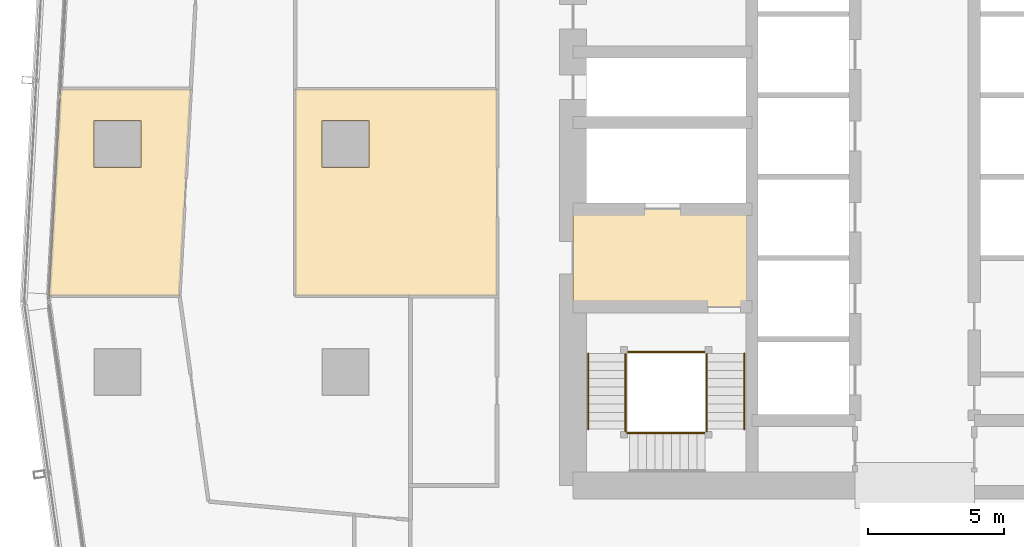
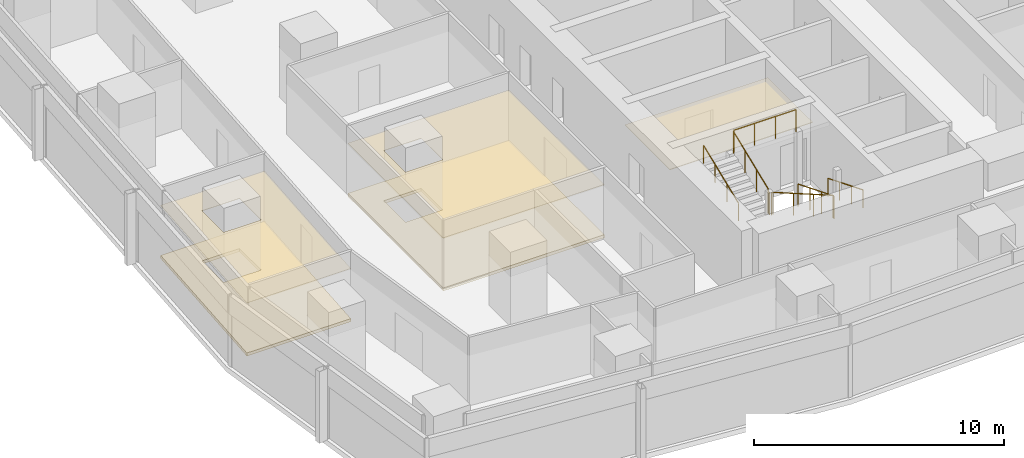
# One storey, part 34 of 40: 9 railings, 5 coverings.
"""IFC4 building model written with IfcOpenShell, lengths in metres."""

from ifc_helpers import new_model, si_unit, direction, frame, origin, origin_2d, place, context, subcontext, project, spatial, polyline, circle, outline, extrude, material, layer, layer_set, type_object, element, save


model = new_model("IFC4")

# Units and contexts
model_context = context("Model", 3, precision=1e-05, world=origin(), true_north=direction((0.0, 1.0)))
body_context = subcontext(model_context, "Body", "Model", "MODEL_VIEW")
ifc_project = project(units=[si_unit("LENGTHUNIT", "METRE"), si_unit("AREAUNIT", "SQUARE_METRE"), si_unit("VOLUMEUNIT", "CUBIC_METRE"), si_unit("PLANEANGLEUNIT", "RADIAN"), si_unit("MASSUNIT", "GRAM", prefix="KILO")], contexts=[model_context])

# Site, building, storey
site_placement = place(None, origin())
site = spatial("IfcSite", under=ifc_project, at=site_placement, CompositionType="ELEMENT")
building_placement = place(site_placement, origin())
building = spatial("IfcBuilding", under=site, at=building_placement, Name="Rekha Terrace Tower", CompositionType="ELEMENT")
storey_placement = place(building_placement, frame((0.0, 0.0, 117.800048828125)))
storey = spatial("IfcBuildingStorey", under=building, at=storey_placement, Name="L29", CompositionType="ELEMENT", Elevation=117.800048828125)

# Coverings
ifc_material_1 = material(Name="Mineral fibre tile in exposed grid", Category="finish")
ifc_layer_1 = layer(ifc_material_1, 0.02001953125)
ifc_layer_set_1 = layer_set([ifc_layer_1], Name="Mineral fibre tile in exposed grid")
covering_type_1 = type_object("IfcCoveringType", Name="CL1 600x1200 office grid ceiling", PredefinedType="CEILING", material=ifc_layer_set_1)
covering_1_placement = place(storey_placement, frame((0.0, 0.0, 2.579833984375)))
element("IfcCovering", 1, at=covering_1_placement, inside=storey, type_object=covering_type_1, Name="Ceiling L29-19", PredefinedType="CEILING", context=body_context, shape_type="SweptSolid", body=[
    extrude(outline(polyline([(5.8740234375, 28.0), (10.680908203125, 28.0), (11.10009765625, 35.634033203125), (6.29296875, 35.634033203125), (5.8740234375, 28.0)]), holes=[polyline([(9.264892578125, 32.735107421875), (7.534912109375, 32.735107421875), (7.534912109375, 34.465087890625), (9.264892578125, 34.465087890625), (9.264892578125, 32.735107421875)])]), origin(), (0.0, 0.0, 1.0), 0.02001953125),
])
covering_2_placement = place(storey_placement, frame((0.0, 0.0, 2.579833984375)))
element("IfcCovering", 2, at=covering_2_placement, inside=storey, type_object=covering_type_1, Name="Ceiling L29-24", PredefinedType="CEILING", context=body_context, shape_type="SweptSolid", body=[
    extrude(outline(polyline([(22.39990234375, 35.634033203125), (14.949951171875, 35.634033203125), (14.949951171875, 28.0), (22.39990234375, 28.0), (22.39990234375, 35.634033203125)]), holes=[polyline([(17.6650390625, 34.465087890625), (17.6650390625, 32.735107421875), (15.93505859375, 32.735107421875), (15.93505859375, 34.465087890625), (17.6650390625, 34.465087890625)])]), origin(), (0.0, 0.0, 1.0), 0.02001953125),
])
ifc_material_2 = material(Name="Powder-coated aluminium pan", Category="aluminium")
ifc_layer_2 = layer(ifc_material_2, 0.030029296875)
ifc_layer_set_2 = layer_set([ifc_layer_2], Name="Powder-coated aluminium pan")
covering_type_2 = type_object("IfcCoveringType", Name="CL3 300x1200 metal pan ceiling", PredefinedType="CEILING", material=ifc_layer_set_2)
covering_3_placement = place(storey_placement, frame((0.0, 0.0, 2.570068359375)))
element("IfcCovering", 3, at=covering_3_placement, inside=storey, type_object=covering_type_2, Name="Ceiling L29-FLB1", PredefinedType="CEILING", context=body_context, shape_type="SweptSolid", body=[
    extrude(outline(polyline([(31.800048828125, 31.199951171875), (25.199951171875, 31.199951171875), (25.199951171875, 27.60009765625), (31.800048828125, 27.60009765625), (31.800048828125, 31.199951171875)])), origin(), (0.0, 0.0, 1.0), 0.02978515625),
])

# Railings
ifc_material_3 = material(Name="Stainless steel balustrade", Category="steel")
railing_type_1 = type_object("IfcRailingType", Name="GR1 1100 stair guard", PredefinedType="GUARDRAIL", material=ifc_material_3)
railing_1_placement = place(storey_placement, frame((30.135009765625, 25.875, 0.125)))
element("IfcRailing", 4, at=railing_1_placement, inside=storey, type_object=railing_type_1, Name="Guard ST1 L29 flight 1", PredefinedType="GUARDRAIL", context=body_context, shape_type="SweptSolid", body=[
    extrude(circle(Radius=0.02392578125, at=origin_2d()), frame((0.0, 0.0, 1.076171875), z_axis=(0.0, -0.927443287984, 0.373963831907), x_axis=(1.0, 0.0, 0.0)), (0.0, 0.0, 1.0), 3.00830078125),
    extrude(circle(Radius=0.02099609375, at=origin_2d()), origin(), (0.0, 0.0, 1.0), 1.052001953125),
    extrude(circle(Radius=0.02099609375, at=origin_2d()), frame((0.0, -0.929931640625, 0.375)), (0.0, 0.0, 1.0), 1.052001953125),
    extrude(circle(Radius=0.02099609375, at=origin_2d()), frame((0.0, -1.860107421875, 0.75)), (0.0, 0.0, 1.0), 1.052001953125),
    extrude(circle(Radius=0.02099609375, at=origin_2d()), frame((0.0, -2.7900390625, 1.125)), (0.0, 0.0, 1.0), 1.052001953125),
])
railing_2_placement = place(storey_placement, frame((30.074951171875, 22.93994140625, 1.375)))
element("IfcRailing", 5, at=railing_2_placement, inside=storey, type_object=railing_type_1, Name="Guard ST1 L29 flight 2", PredefinedType="GUARDRAIL", context=body_context, shape_type="SweptSolid", body=[
    extrude(circle(Radius=0.02392578125, at=origin_2d()), frame((0.0, 0.0, 1.076171875), z_axis=(-0.927443287984, 0.0, 0.373963831907), x_axis=(0.0, -1.0, 0.0)), (0.0, 0.0, 1.0), 3.00830078125),
    extrude(circle(Radius=0.02099609375, at=origin_2d()), origin(), (0.0, 0.0, 1.0), 1.052001953125),
    extrude(circle(Radius=0.02099609375, at=origin_2d()), frame((-0.929931640625, 0.0, 0.375)), (0.0, 0.0, 1.0), 1.052001953125),
    extrude(circle(Radius=0.02099609375, at=origin_2d()), frame((-1.860107421875, 0.0, 0.75)), (0.0, 0.0, 1.0), 1.052001953125),
    extrude(circle(Radius=0.02099609375, at=origin_2d()), frame((-2.7900390625, 0.0, 1.125)), (0.0, 0.0, 1.0), 1.052001953125),
])
railing_3_placement = place(storey_placement, frame((27.139892578125, 23.0849609375, 2.625)))
element("IfcRailing", 6, at=railing_3_placement, inside=storey, type_object=railing_type_1, Name="Guard ST1 L29 flight 3", PredefinedType="GUARDRAIL", context=body_context, shape_type="SweptSolid", body=[
    extrude(circle(Radius=0.02392578125, at=origin_2d()), frame((0.0, 0.0, 1.076171875), z_axis=(0.0, 0.927443287984, 0.373963831907), x_axis=(-1.0, 0.0, 0.0)), (0.0, 0.0, 1.0), 3.00830078125),
    extrude(circle(Radius=0.02099609375, at=origin_2d()), origin(), (0.0, 0.0, 1.0), 1.052001953125),
    extrude(circle(Radius=0.02099609375, at=origin_2d()), frame((0.0, 0.929931640625, 0.375)), (0.0, 0.0, 1.0), 1.052001953125),
    extrude(circle(Radius=0.02099609375, at=origin_2d()), frame((0.0, 1.860107421875, 0.75)), (0.0, 0.0, 1.0), 1.052001953125),
    extrude(circle(Radius=0.02099609375, at=origin_2d()), frame((0.0, 2.7900390625, 1.125)), (0.0, 0.0, 1.0), 1.052001953125),
])
railing_4_placement = place(storey_placement, frame((30.135009765625, 23.0849609375, 1.25)))
element("IfcRailing", 7, at=railing_4_placement, inside=storey, type_object=railing_type_1, Name="Guard ST1 L29 landing 1", PredefinedType="GUARDRAIL", context=body_context, shape_type="SweptSolid", body=[
    extrude(circle(Radius=0.02392578125, at=origin_2d()), frame((0.0, 0.0, 1.076171875), z_axis=(0.0, -1.0, 0.0), x_axis=(1.0, 0.0, 0.0)), (0.0, 0.0, 1.0), 0.0849609375),
    extrude(circle(Radius=0.02099609375, at=origin_2d()), origin(), (0.0, 0.0, 1.0), 1.052001953125),
    extrude(circle(Radius=0.02099609375, at=origin_2d()), frame((0.0, -0.0849609375, 0.0)), (0.0, 0.0, 1.0), 1.052001953125),
])
railing_5_placement = place(storey_placement, frame((27.284912109375, 22.93994140625, 2.5)))
element("IfcRailing", 8, at=railing_5_placement, inside=storey, type_object=railing_type_1, Name="Guard ST1 L29 landing 2", PredefinedType="GUARDRAIL", context=body_context, shape_type="SweptSolid", body=[
    extrude(circle(Radius=0.02392578125, at=origin_2d()), frame((0.0, 0.0, 1.076171875), z_axis=(-1.0, 0.0, 0.0), x_axis=(0.0, -1.0, 0.0)), (0.0, 0.0, 1.0), 0.0849609375),
    extrude(circle(Radius=0.02099609375, at=origin_2d()), origin(), (0.0, 0.0, 1.0), 1.052001953125),
    extrude(circle(Radius=0.02099609375, at=origin_2d()), frame((-0.0849609375, 0.0, 0.0)), (0.0, 0.0, 1.0), 1.052001953125),
])
railing_6_placement = place(storey_placement, frame((27.139892578125, 23.0849609375, 2.5)))
element("IfcRailing", 9, at=railing_6_placement, inside=storey, type_object=railing_type_1, Name="Guard ST1 L29 landing 3", PredefinedType="GUARDRAIL", context=body_context, shape_type="SweptSolid", body=[
    extrude(circle(Radius=0.02392578125, at=origin_2d()), frame((0.0, 0.0, 1.076171875), z_axis=(0.0, -1.0, 0.0), x_axis=(1.0, 0.0, 0.0)), (0.0, 0.0, 1.0), 0.0849609375),
    extrude(circle(Radius=0.02099609375, at=origin_2d()), origin(), (0.0, 0.0, 1.0), 1.052001953125),
    extrude(circle(Radius=0.02099609375, at=origin_2d()), frame((0.0, -0.0849609375, 0.0)), (0.0, 0.0, 1.0), 1.052001953125),
])
railing_7_placement = place(storey_placement, frame((30.074951171875, 25.93505859375, 3.75)))
element("IfcRailing", 10, at=railing_7_placement, inside=storey, type_object=railing_type_1, Name="Guard ST1 L29 landing 4", PredefinedType="GUARDRAIL", context=body_context, shape_type="SweptSolid", body=[
    extrude(circle(Radius=0.02392578125, at=origin_2d()), frame((0.0, 0.0, 1.076171875), z_axis=(-1.0, 0.0, 0.0), x_axis=(0.0, -1.0, 0.0)), (0.0, 0.0, 1.0), 2.875),
    extrude(circle(Radius=0.02099609375, at=origin_2d()), origin(), (0.0, 0.0, 1.0), 1.052001953125),
    extrude(circle(Radius=0.02099609375, at=origin_2d()), frame((-0.958251953125, 0.0, 0.0)), (0.0, 0.0, 1.0), 1.052001953125),
    extrude(circle(Radius=0.02099609375, at=origin_2d()), frame((-1.916748046875, 0.0, 0.0)), (0.0, 0.0, 1.0), 1.052001953125),
    extrude(circle(Radius=0.02099609375, at=origin_2d()), frame((-2.875, 0.0, 0.0)), (0.0, 0.0, 1.0), 1.052001953125),
])
ifc_material_4 = material(Name="Stainless steel tube", Category="steel")
railing_type_2 = type_object("IfcRailingType", Name="HR1 900 stair handrail", PredefinedType="HANDRAIL", material=ifc_material_4)
railing_8_placement = place(storey_placement, frame((31.514892578125, 25.875, 0.125)))
element("IfcRailing", 11, at=railing_8_placement, inside=storey, type_object=railing_type_2, Name="Handrail ST1 L29 flight 1", PredefinedType="HANDRAIL", context=body_context, shape_type="SweptSolid", body=[
    extrude(circle(Radius=0.02392578125, at=origin_2d()), frame((0.0, 0.0, 0.8759765625), z_axis=(0.0, -0.927443287984, 0.373963831907), x_axis=(1.0, 0.0, 0.0)), (0.0, 0.0, 1.0), 3.00830078125),
    extrude(circle(Radius=0.02099609375, at=origin_2d()), origin(), (0.0, 0.0, 1.0), 0.851806640625),
    extrude(circle(Radius=0.02099609375, at=origin_2d()), frame((0.0, -0.929931640625, 0.375)), (0.0, 0.0, 1.0), 0.851806640625),
    extrude(circle(Radius=0.02099609375, at=origin_2d()), frame((0.0, -1.860107421875, 0.75)), (0.0, 0.0, 1.0), 0.851806640625),
    extrude(circle(Radius=0.02099609375, at=origin_2d()), frame((0.0, -2.7900390625, 1.125)), (0.0, 0.0, 1.0), 0.851806640625),
])
railing_9_placement = place(storey_placement, frame((25.760009765625, 23.0849609375, 2.625)))
element("IfcRailing", 12, at=railing_9_placement, inside=storey, type_object=railing_type_2, Name="Handrail ST1 L29 flight 3", PredefinedType="HANDRAIL", context=body_context, shape_type="SweptSolid", body=[
    extrude(circle(Radius=0.02392578125, at=origin_2d()), frame((0.0, 0.0, 0.8759765625), z_axis=(0.0, 0.927443287984, 0.373963831907), x_axis=(-1.0, 0.0, 0.0)), (0.0, 0.0, 1.0), 3.00830078125),
    extrude(circle(Radius=0.02099609375, at=origin_2d()), origin(), (0.0, 0.0, 1.0), 0.851806640625),
    extrude(circle(Radius=0.02099609375, at=origin_2d()), frame((0.0, 0.929931640625, 0.375)), (0.0, 0.0, 1.0), 0.851806640625),
    extrude(circle(Radius=0.02099609375, at=origin_2d()), frame((0.0, 1.860107421875, 0.75)), (0.0, 0.0, 1.0), 0.851806640625),
    extrude(circle(Radius=0.02099609375, at=origin_2d()), frame((0.0, 2.7900390625, 1.125)), (0.0, 0.0, 1.0), 0.851806640625),
])

# Coverings
ifc_material_5 = material(Name="Calcium sulphate panels on steel pedestals", Category="steel")
ifc_layer_3 = layer(ifc_material_5, 0.14990234375)
ifc_layer_set_3 = layer_set([ifc_layer_3], Name="Calcium sulphate panels on steel pedestals")
covering_type_3 = type_object("IfcCoveringType", Name="RF1 150 raised access floor", PredefinedType="FLOORING", material=ifc_layer_set_3)
covering_4_placement = place(storey_placement, origin())
element("IfcCovering", 13, at=covering_4_placement, inside=storey, type_object=covering_type_3, Name="Raised floor L29-19", PredefinedType="FLOORING", context=body_context, shape_type="SweptSolid", body=[
    extrude(outline(polyline([(5.8740234375, 28.0), (10.680908203125, 28.0), (11.10009765625, 35.634033203125), (6.29296875, 35.634033203125), (5.8740234375, 28.0)]), holes=[polyline([(9.264892578125, 32.735107421875), (7.534912109375, 32.735107421875), (7.534912109375, 34.465087890625), (9.264892578125, 34.465087890625), (9.264892578125, 32.735107421875)])]), origin(), (0.0, 0.0, 1.0), 0.14990234375),
])
covering_5_placement = place(storey_placement, origin())
element("IfcCovering", 14, at=covering_5_placement, inside=storey, type_object=covering_type_3, Name="Raised floor L29-24", PredefinedType="FLOORING", context=body_context, shape_type="SweptSolid", body=[
    extrude(outline(polyline([(22.39990234375, 35.634033203125), (14.949951171875, 35.634033203125), (14.949951171875, 28.0), (22.39990234375, 28.0), (22.39990234375, 35.634033203125)]), holes=[polyline([(17.6650390625, 34.465087890625), (17.6650390625, 32.735107421875), (15.93505859375, 32.735107421875), (15.93505859375, 34.465087890625), (17.6650390625, 34.465087890625)])]), origin(), (0.0, 0.0, 1.0), 0.14990234375),
])

save(model, "model.ifc")
